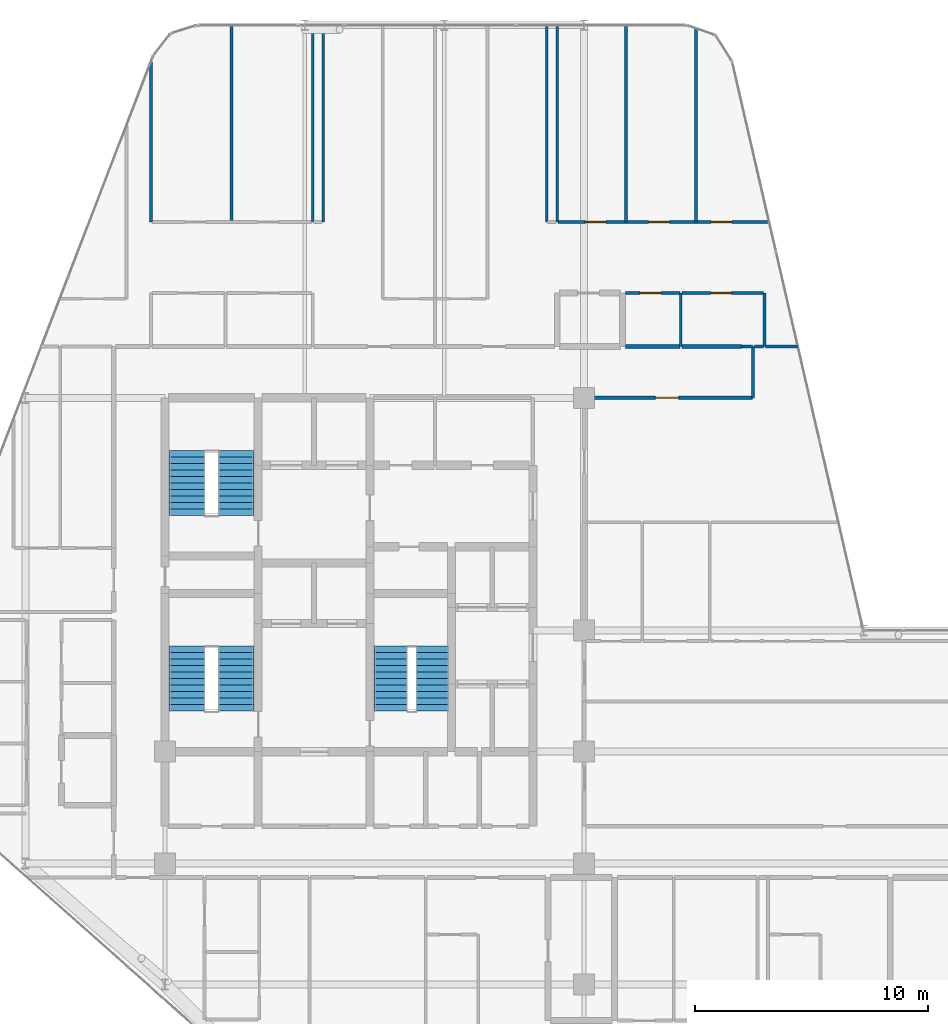
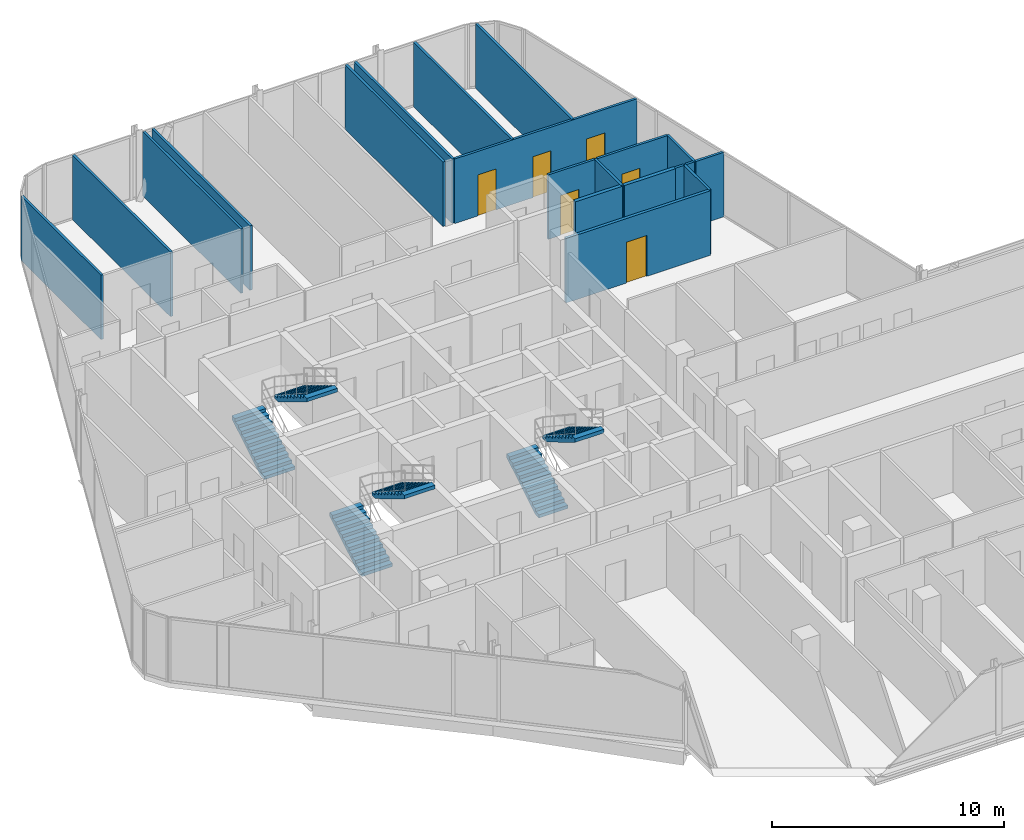
# One storey, part 28 of 29: 20 walls, 6 doors, 6 stair flights, 6 openings, 3 elements without a shape of their own.
"""IFC4 building model written with IfcOpenShell, lengths in metres."""

import ifcopenshell
import ifcopenshell.guid

model = None  # the IFC model being written
_history = None  # IfcOwnerHistory: only IFC2X3 demands one
_inside = {}  # id of a spatial element -> (the spatial element, [elements in it])
_under = {}  # id of a project, library or spatial element -> (it, [spatial elements below it])
_declared = {}  # id of a project -> (the project, [libraries it declares])
_typed = {}  # id of a type object -> (the type object, [elements of that type])
_made_of = {}  # id of a material, layer set ... -> (it, [elements and type objects made of it])


def new_model(schema):
    """Start an empty IFC model of exactly this schema.

    Asked for "IFC4X3", IfcOpenShell would pick the latest addendum, in which some entities
    have other attributes; the version numbers below select the first issue.
    IFC2X3 requires an IfcOwnerHistory on every rooted entity: one is made here for all.
    """
    global model, _history
    if schema == "IFC4X3":
        model = ifcopenshell.file(schema_version=(4, 3, 0, 0))
    else:
        model = ifcopenshell.file(schema=schema)
    _inside.clear()
    _under.clear()
    _declared.clear()
    _typed.clear()
    _made_of.clear()
    _history = None
    if model.schema == "IFC2X3":
        org = make("IfcOrganization", Name="unknown")
        user = make(
            "IfcPersonAndOrganization",
            ThePerson=make("IfcPerson", FamilyName="unknown"),
            TheOrganization=org,
        )
        app = make(
            "IfcApplication",
            ApplicationDeveloper=org,
            Version="unknown",
            ApplicationFullName="unknown",
            ApplicationIdentifier="unknown",
        )
        _history = make(
            "IfcOwnerHistory",
            OwningUser=user,
            OwningApplication=app,
            ChangeAction="ADDED",
            CreationDate=0,
        )
    return model


def make(cls, **values):
    """One entity of the class cls with the attributes given. An attribute that is None is left unset."""
    return model.create_entity(
        cls, **{name: value for name, value in values.items() if value is not None}
    )


def rooted(cls, **values):
    """An entity with a GlobalId (a new one), such as an element, a storey or a relation."""
    return make(cls, GlobalId=ifcopenshell.guid.new(), OwnerHistory=_history, **values)


def si_unit(unit_type, name, prefix=None):
    """IfcSIUnit, for example si_unit("LENGTHUNIT", "METRE", prefix="MILLI")."""
    return make("IfcSIUnit", UnitType=unit_type, Prefix=prefix, Name=name)


def assignment(units):
    """IfcUnitAssignment: the units of a project."""
    return None if units is None else make("IfcUnitAssignment", Units=units)


def point(xyz):
    """IfcCartesianPoint."""
    return None if xyz is None else make("IfcCartesianPoint", Coordinates=xyz)


def direction(xyz):
    """IfcDirection."""
    return None if xyz is None else make("IfcDirection", DirectionRatios=xyz)


def frame(location, z_axis=None, x_axis=None):
    """IfcAxis2Placement3D, a coordinate frame: its origin and axes. An axis left out is left unset."""
    return make(
        "IfcAxis2Placement3D",
        Location=point(location),
        Axis=direction(z_axis),
        RefDirection=direction(x_axis),
    )


def frame_2d(location, x_axis=None):
    """IfcAxis2Placement2D, a coordinate frame in the plane: its origin and x axis."""
    return make(
        "IfcAxis2Placement2D", Location=point(location), RefDirection=direction(x_axis)
    )


def origin():
    """The frame at (0, 0, 0) with its axes left unset."""
    return frame((0.0, 0.0, 0.0))


def place(relative_to, where):
    """IfcLocalPlacement: puts the frame where relative to a parent placement (None: the world)."""
    return make(
        "IfcLocalPlacement", PlacementRelTo=relative_to, RelativePlacement=where
    )


def context(
    kind, dimensions, precision=None, world=None, true_north=None, identifier=None
):
    """IfcGeometricRepresentationContext, for example the 3D "Model" context."""
    return make(
        "IfcGeometricRepresentationContext",
        ContextIdentifier=identifier,
        ContextType=kind,
        CoordinateSpaceDimension=dimensions,
        Precision=precision,
        WorldCoordinateSystem=world,
        TrueNorth=true_north,
    )


def subcontext(parent, identifier, kind, view, scale=None):
    """IfcGeometricRepresentationSubContext, for example "Body" below "Model"."""
    return make(
        "IfcGeometricRepresentationSubContext",
        ContextIdentifier=identifier,
        ContextType=kind,
        ParentContext=parent,
        TargetScale=scale,
        TargetView=view,
    )


def project(units=None, contexts=None):
    """IfcProject with its units and contexts."""
    return rooted(
        "IfcProject",
        Name="project",
        RepresentationContexts=contexts,
        UnitsInContext=assignment(units),
    )


def spatial(cls, under=None, at=None, **own):
    """A site, building, storey or space (cls), placed at a placement, below another one or the project."""
    s = rooted(cls, ObjectPlacement=at, **own)
    if under is not None:
        _under.setdefault(under.id(), (under, []))[1].append(s)
    return s


def polyline(points):
    """IfcPolyline through the points."""
    return make("IfcPolyline", Points=[point(p) for p in points])


def profile(cls, at=None, kind="AREA", **sizes):
    """A parametric profile (cls). Its sizes go by their IFC names, for example OverallWidth=200.0."""
    return make(cls, ProfileType=kind, Position=at, **sizes)


def rectangle(**sizes):
    """IfcRectangleProfileDef."""
    return profile("IfcRectangleProfileDef", **sizes)


def outline(outer, holes=None, kind="AREA"):
    """IfcArbitraryClosedProfileDef: a profile drawn as a closed curve; with holes, ...WithVoids."""
    if holes is None:
        return make("IfcArbitraryClosedProfileDef", ProfileType=kind, OuterCurve=outer)
    return make(
        "IfcArbitraryProfileDefWithVoids",
        ProfileType=kind,
        OuterCurve=outer,
        InnerCurves=holes,
    )


def extrude(swept, where, along, depth):
    """IfcExtrudedAreaSolid: the profile swept, set in the frame where, extruded along a direction by depth."""
    return make(
        "IfcExtrudedAreaSolid",
        SweptArea=swept,
        Position=where,
        ExtrudedDirection=direction(along),
        Depth=depth,
    )


def shape(context_of_items, identifier, shape_type, items):
    """IfcShapeRepresentation: the items that make up one representation, for example the "Body"."""
    return make(
        "IfcShapeRepresentation",
        ContextOfItems=context_of_items,
        RepresentationIdentifier=identifier,
        RepresentationType=shape_type,
        Items=items,
    )


def material(Name=None, Category=None):
    """IfcMaterial."""
    return make("IfcMaterial", Name=Name, Category=Category)


def layer(
    of_material, thickness, ventilated=None, Name=None, Category=None, Priority=None
):
    """IfcMaterialLayer: one layer of a wall or slab, of a material (None: an air gap)."""
    return make(
        "IfcMaterialLayer",
        Material=of_material,
        LayerThickness=thickness,
        IsVentilated=ventilated,
        Name=Name,
        Category=Category,
        Priority=Priority,
    )


def layer_set(layers, Name=None):
    """IfcMaterialLayerSet."""
    return make("IfcMaterialLayerSet", MaterialLayers=layers, LayerSetName=Name)


def made_of(thing, what):
    """Note that an element or type object is made of a material, layer set ...; save() writes the relation."""
    if what is not None:
        _made_of.setdefault(what.id(), (what, []))[1].append(thing)
    return thing


def type_object(cls, material=None, **own):
    """A type object (cls), such as IfcWallType, which elements share."""
    return made_of(rooted(cls, **own), material)


def element(
    cls,
    number,
    at=None,
    inside=None,
    cuts=None,
    type_object=None,
    material=None,
    context=None,
    identifier="Body",
    shape_type=None,
    held_by="IfcProductDefinitionShape",
    body=None,
    shapes=None,
    **own,
):
    """One element of the class cls, such as IfcWall. Its Tag is "e" and its number.

    at: its placement. inside: the storey or other place that contains it. cuts: it is an
    opening in that element (IfcRelVoidsElement). A single representation is given by context,
    identifier, shape_type and body (its items); several are given by shapes. held_by: the class
    of the entity that holds the representations. save() writes the other relations.
    """
    e = rooted(cls, Tag="e%d" % number, ObjectPlacement=at, **own)
    if body is not None:
        shapes = [shape(context, identifier, shape_type, body)]
    if shapes is not None:
        e.Representation = make(held_by, Representations=shapes)
    if inside is not None:
        _inside.setdefault(inside.id(), (inside, []))[1].append(e)
    if cuts is not None:
        rooted(
            "IfcRelVoidsElement", RelatingBuildingElement=cuts, RelatedOpeningElement=e
        )
    if type_object is not None:
        _typed.setdefault(type_object.id(), (type_object, []))[1].append(e)
    return made_of(e, material)


def fill(opening, filler):
    """IfcRelFillsElement: the door or window that sits in an opening."""
    return rooted(
        "IfcRelFillsElement",
        RelatingOpeningElement=opening,
        RelatedBuildingElement=filler,
    )


def aggregate(whole, parts):
    """IfcRelAggregates: a whole, such as a stair, and the parts it consists of."""
    return rooted("IfcRelAggregates", RelatingObject=whole, RelatedObjects=parts)


def save(model, path):
    """Write the relations noted so far, then the file.

    IfcRelAggregates (storeys below a building ...), IfcRelContainedInSpatialStructure (elements
    in a storey), IfcRelDefinesByType, IfcRelAssociatesMaterial and IfcRelDeclares: one each for
    every whole, place, type object, material and project.
    """
    for whole, parts in _under.values():
        aggregate(whole, parts)
    for where, things in _inside.values():
        rooted(
            "IfcRelContainedInSpatialStructure",
            RelatedElements=things,
            RelatingStructure=where,
        )
    for kind, things in _typed.values():
        rooted("IfcRelDefinesByType", RelatedObjects=things, RelatingType=kind)
    for what, things in _made_of.values():
        rooted("IfcRelAssociatesMaterial", RelatedObjects=things, RelatingMaterial=what)
    for by, libraries in _declared.values():
        rooted("IfcRelDeclares", RelatingContext=by, RelatedDefinitions=libraries)
    model.write(path)


model = new_model("IFC4")

# Units and contexts
model_context = context("Model", 3, precision=1e-05, world=origin(), true_north=direction((0.0, 1.0)))
body_context = subcontext(model_context, "Body", "Model", "MODEL_VIEW")
ifc_project = project(units=[si_unit("LENGTHUNIT", "METRE"), si_unit("AREAUNIT", "SQUARE_METRE"), si_unit("VOLUMEUNIT", "CUBIC_METRE"), si_unit("PLANEANGLEUNIT", "RADIAN"), si_unit("MASSUNIT", "GRAM", prefix="KILO")], contexts=[model_context])

# Site, building, storey
site_placement = place(None, origin())
site = spatial("IfcSite", under=ifc_project, at=site_placement, CompositionType="ELEMENT")
building_placement = place(site_placement, origin())
building = spatial("IfcBuilding", under=site, at=building_placement, Name="Keshet Zoharim Tower", CompositionType="ELEMENT")
storey_placement = place(building_placement, frame((0.0, 0.0, 192.10009765625)))
storey = spatial("IfcBuildingStorey", under=building, at=storey_placement, Name="L47", CompositionType="ELEMENT", Elevation=192.10009765625)

# Wall, opening, door
ifc_material_1 = material(Name="Gypsum Plasterboard", Category="gypsum")
ifc_layer_1 = layer(ifc_material_1, 0.14990234375)
ifc_layer_set_1 = layer_set([ifc_layer_1], Name="Gypsum Plasterboard")
wall_type_1 = type_object("IfcWallType", Name="WL-CLIN-150", PredefinedType="STANDARD", material=ifc_layer_set_1)
wall_1_placement = place(storey_placement, frame((33.06005859375, 37.89990234375, 0.0), z_axis=(0.0, 0.0, 1.0), x_axis=(1.0, 0.0, 0.0)))
wall_1 = element("IfcWall", 1, at=wall_1_placement, inside=storey, type_object=wall_type_1, Name="L47 Interior Wall 180", PredefinedType="STANDARD", context=body_context, shape_type="SweptSolid", body=[
    extrude(rectangle(XDim=7.1640625, YDim=0.14990234375, at=frame_2d((3.58203125, 0.0))), origin(), (0.0, 0.0, 1.0), 3.389892578125),
])
opening_1_placement = place(wall_1_placement, frame((3.00390625, 0.0, 0.0)))
opening_1 = element("IfcOpeningElement", 2, at=opening_1_placement, cuts=wall_1, Name="Opening D-F310", PredefinedType="OPENING", context=body_context, shape_type="SweptSolid", body=[
    extrude(rectangle(XDim=1.0, YDim=2.14990234375, at=frame_2d((0.5, 1.074951171875))), frame((0.0, 0.0849609375, 0.0), z_axis=(0.0, -1.0, 0.0), x_axis=(1.0, 0.0, 0.0)), (0.0, 0.0, 1.0), 0.169921875),
])
ifc_material_2 = material(Name="Hardwood Timber", Category="wood")
door_type_1 = type_object("IfcDoorType", Name="DR-FD30-100", OperationType="NOTDEFINED", PredefinedType="DOOR", material=ifc_material_2)
door_1_placement = place(opening_1_placement, origin())
door_1 = element("IfcDoor", 3, at=door_1_placement, inside=storey, type_object=door_type_1, Name="L47 North West Residents Services Suite Door 1", OperationType="SINGLE_SWING_RIGHT", OverallHeight=2.14990234375, OverallWidth=1.0, PredefinedType="DOOR", context=body_context, shape_type="SweptSolid", body=[
    extrude(rectangle(XDim=1.0, YDim=2.14990234375, at=frame_2d((0.5, 1.074951171875))), frame((0.0, 0.02490234375, 0.0), z_axis=(0.0, -1.0, 0.0), x_axis=(1.0, 0.0, 0.0)), (0.0, 0.0, 1.0), 0.050048828125),
])
fill(opening_1, door_1)

# Walls
ifc_layer_2 = layer(ifc_material_1, 0.179931640625)
ifc_layer_set_2 = layer_set([ifc_layer_2], Name="Gypsum Plasterboard")
wall_type_2 = type_object("IfcWallType", Name="WL-CORR-180", PredefinedType="STANDARD", material=ifc_layer_set_2)
wall_2_placement = place(storey_placement, frame((34.783935546875, 40.10009765625, 0.0), z_axis=(0.0, 0.0, 1.0), x_axis=(1.0, 0.0, 0.0)))
element("IfcWall", 4, at=wall_2_placement, inside=storey, type_object=wall_type_2, Name="L47 Interior Wall 188", PredefinedType="STANDARD", context=body_context, shape_type="SweptSolid", body=[
    extrude(rectangle(XDim=2.340087890625, YDim=0.179931640625, at=frame_2d((1.169921875, 0.0))), origin(), (0.0, 0.0, 1.0), 3.389892578125),
])
wall_3_placement = place(storey_placement, frame((37.214111328125, 40.10009765625, 0.0), z_axis=(0.0, 0.0, 1.0), x_axis=(1.0, 0.0, 0.0)))
element("IfcWall", 5, at=wall_3_placement, inside=storey, type_object=wall_type_2, Name="L47 Interior Wall 189", PredefinedType="STANDARD", context=body_context, shape_type="SweptSolid", body=[
    extrude(rectangle(XDim=2.548828125, YDim=0.179931640625, at=frame_2d((1.2744140625, 0.0))), origin(), (0.0, 0.0, 1.0), 3.389892578125),
])
ifc_layer_3 = layer(ifc_material_1, 0.1201171875)
ifc_layer_set_3 = layer_set([ifc_layer_3], Name="Gypsum Plasterboard")
wall_type_3 = type_object("IfcWallType", Name="WL-PART-120", PredefinedType="PARTITIONING", material=ifc_layer_set_3)
wall_4_placement = place(storey_placement, frame((14.39990234375, 45.449951171875, 0.0), z_axis=(0.0, 0.0, 1.0), x_axis=(0.0, 1.0, 0.0)))
element("IfcWall", 6, at=wall_4_placement, inside=storey, type_object=wall_type_3, Name="L47 Interior Wall 015", PredefinedType="PARTITIONING", context=body_context, shape_type="SweptSolid", body=[
    extrude(rectangle(XDim=6.880126953125, YDim=0.1201171875, at=frame_2d((3.43994140625, 0.0))), origin(), (0.0, 0.0, 1.0), 3.389892578125),
])
for number, where, z_axis, x_axis, name in (
    (7, (17.85009765625, 45.449951171875, 0.0), (0.0, 0.0, 1.0), (0.0, 1.0, 0.0), "L47 Interior Wall 023"),
    (8, (21.35009765625, 45.449951171875, 0.0), (0.0, 0.0, 1.0), (0.0, 1.0, 0.0), "L47 Interior Wall 033"),
    (9, (21.800048828125, 45.449951171875, 0.0), (0.0, 0.0, 1.0), (0.0, 1.0, 0.0), "L47 Interior Wall 036"),
    (10, (31.39990234375, 45.449951171875, 0.0), (0.0, 0.0, 1.0), (0.0, 1.0, 0.0), "L47 Interior Wall 067"),
    (11, (31.85009765625, 45.449951171875, 0.0), (0.0, 0.0, 1.0), (0.0, 1.0, 0.0), "L47 Interior Wall 071"),
    (12, (34.800048828125, 45.449951171875, 0.0), (0.0, 0.0, 1.0), (0.0, 1.0, 0.0), "L47 Interior Wall 079"),
):
    element("IfcWall", number, at=place(storey_placement, frame(where, z_axis=z_axis, x_axis=x_axis)), inside=storey, type_object=wall_type_3, Name=name, PredefinedType="PARTITIONING", context=body_context, shape_type="SweptSolid", body=[
        extrude(rectangle(XDim=8.43994140625, YDim=0.1201171875, at=frame_2d((4.219970703125, 0.0))), origin(), (0.0, 0.0, 1.0), 3.389892578125),
    ])
wall_5_placement = place(storey_placement, frame((37.800048828125, 45.449951171875, 0.0), z_axis=(0.0, 0.0, 1.0), x_axis=(0.0, 1.0, 0.0)))
element("IfcWall", 13, at=wall_5_placement, inside=storey, type_object=wall_type_3, Name="L47 Interior Wall 084", PredefinedType="PARTITIONING", context=body_context, shape_type="SweptSolid", body=[
    extrude(rectangle(XDim=8.302978515625, YDim=0.1201171875, at=frame_2d((4.1513671875, 0.0))), origin(), (0.0, 0.0, 1.0), 3.389892578125),
])
wall_6_placement = place(storey_placement, frame((40.25, 37.89990234375, 0.0), z_axis=(0.0, 0.0, 1.0), x_axis=(0.0, 1.0, 0.0)))
element("IfcWall", 14, at=wall_6_placement, inside=storey, type_object=wall_type_3, Name="L47 Interior Wall 086", PredefinedType="PARTITIONING", context=body_context, shape_type="SweptSolid", body=[
    extrude(rectangle(XDim=2.2001953125, YDim=0.1201171875, at=frame_2d((1.10009765625, 0.0))), origin(), (0.0, 0.0, 1.0), 3.389892578125),
])
wall_7_placement = place(storey_placement, frame((40.75, 40.10009765625, 0.0), z_axis=(0.0, 0.0, 1.0), x_axis=(0.0, 1.0, 0.0)))
element("IfcWall", 15, at=wall_7_placement, inside=storey, type_object=wall_type_3, Name="L47 Interior Wall 089", PredefinedType="PARTITIONING", context=body_context, shape_type="SweptSolid", body=[
    extrude(rectangle(XDim=2.2998046875, YDim=0.1201171875, at=frame_2d((1.14990234375, 0.0))), origin(), (0.0, 0.0, 1.0), 3.389892578125),
])
wall_8_placement = place(storey_placement, frame((39.762939453125, 40.10009765625, 0.0), z_axis=(0.0, 0.0, 1.0), x_axis=(1.0, 0.0, 0.0)))
element("IfcWall", 16, at=wall_8_placement, inside=storey, type_object=wall_type_3, Name="L47 Interior Wall 190", PredefinedType="PARTITIONING", context=body_context, shape_type="SweptSolid", body=[
    extrude(rectangle(XDim=0.462158203125, YDim=0.1201171875, at=frame_2d((0.23095703125, 0.0))), origin(), (0.0, 0.0, 1.0), 3.389892578125),
])
wall_9_placement = place(storey_placement, frame((40.31494140625, 40.10009765625, 0.0), z_axis=(0.0, 0.0, 1.0), x_axis=(1.0, 0.0, 0.0)))
element("IfcWall", 17, at=wall_9_placement, inside=storey, type_object=wall_type_3, Name="L47 Interior Wall 191", PredefinedType="PARTITIONING", context=body_context, shape_type="SweptSolid", body=[
    extrude(rectangle(XDim=0.39208984375, YDim=0.1201171875, at=frame_2d((0.196044921875, 0.0))), origin(), (0.0, 0.0, 1.0), 3.389892578125),
])
wall_10_placement = place(storey_placement, frame((40.797119140625, 40.10009765625, 0.0), z_axis=(0.0, 0.0, 1.0), x_axis=(1.0, 0.0, 0.0)))
element("IfcWall", 18, at=wall_10_placement, inside=storey, type_object=wall_type_3, Name="L47 Interior Wall 192", PredefinedType="PARTITIONING", context=body_context, shape_type="SweptSolid", body=[
    extrude(rectangle(XDim=1.3779296875, YDim=0.1201171875, at=frame_2d((0.68896484375, 0.0))), origin(), (0.0, 0.0, 1.0), 3.389892578125),
])

# Wall, opening, door
wall_11_placement = place(storey_placement, frame((37.214111328125, 42.39990234375, 0.0), z_axis=(0.0, 0.0, 1.0), x_axis=(1.0, 0.0, 0.0)))
wall_11 = element("IfcWall", 19, at=wall_11_placement, inside=storey, type_object=wall_type_3, Name="L47 Interior Wall 199", PredefinedType="PARTITIONING", context=body_context, shape_type="SweptSolid", body=[
    extrude(rectangle(XDim=3.492919921875, YDim=0.1201171875, at=frame_2d((1.74658203125, 0.0))), origin(), (0.0, 0.0, 1.0), 3.389892578125),
])
opening_2_placement = place(wall_11_placement, frame((1.22412109375, 0.0, 0.0)))
opening_2 = element("IfcOpeningElement", 20, at=opening_2_placement, cuts=wall_11, Name="Opening D-IN90", PredefinedType="OPENING", context=body_context, shape_type="SweptSolid", body=[
    extrude(rectangle(XDim=0.89990234375, YDim=2.14990234375, at=frame_2d((0.449951171875, 1.074951171875))), frame((0.0, 0.070068359375, 0.0), z_axis=(0.0, -1.0, 0.0), x_axis=(1.0, 0.0, 0.0)), (0.0, 0.0, 1.0), 0.14013671875),
])
door_type_2 = type_object("IfcDoorType", Name="DR-INT-090", OperationType="NOTDEFINED", PredefinedType="DOOR", material=ifc_material_2)
door_2_placement = place(opening_2_placement, origin())
door_2 = element("IfcDoor", 21, at=door_2_placement, inside=storey, type_object=door_type_2, Name="Apartment 4705 Kitchen Door", OperationType="SINGLE_SWING_RIGHT", OverallHeight=2.14990234375, OverallWidth=0.89990234375, PredefinedType="DOOR", context=body_context, shape_type="SweptSolid", body=[
    extrude(rectangle(XDim=0.89990234375, YDim=2.14990234375, at=frame_2d((0.449951171875, 1.074951171875))), frame((0.0, 0.02490234375, 0.0), z_axis=(0.0, -1.0, 0.0), x_axis=(1.0, 0.0, 0.0)), (0.0, 0.0, 1.0), 0.050048828125),
])
fill(opening_2, door_2)

# Wall, openings, doors
wall_12_placement = place(storey_placement, frame((31.885009765625, 45.449951171875, 0.0), z_axis=(0.0, 0.0, 1.0), x_axis=(1.0, 0.0, 0.0)))
wall_12 = element("IfcWall", 22, at=wall_12_placement, inside=storey, type_object=wall_type_3, Name="L47 Interior Wall 203", PredefinedType="PARTITIONING", context=body_context, shape_type="SweptSolid", body=[
    extrude(rectangle(XDim=9.054931640625, YDim=0.1201171875, at=frame_2d((4.52734375, 0.0))), origin(), (0.0, 0.0, 1.0), 3.389892578125),
])
opening_3_placement = place(wall_12_placement, frame((1.166015625, 0.0, 0.0)))
opening_3 = element("IfcOpeningElement", 23, at=opening_3_placement, cuts=wall_12, Name="Opening D-IN90", PredefinedType="OPENING", context=body_context, shape_type="SweptSolid", body=[
    extrude(rectangle(XDim=0.89990234375, YDim=2.14990234375, at=frame_2d((0.449951171875, 1.074951171875))), frame((0.0, 0.070068359375, 0.0), z_axis=(0.0, -1.0, 0.0), x_axis=(1.0, 0.0, 0.0)), (0.0, 0.0, 1.0), 0.14013671875),
])
opening_4_placement = place(wall_12_placement, frame((3.888916015625, 0.0, 0.0)))
opening_4 = element("IfcOpeningElement", 24, at=opening_4_placement, cuts=wall_12, Name="Opening D-IN90", PredefinedType="OPENING", context=body_context, shape_type="SweptSolid", body=[
    extrude(rectangle(XDim=0.89990234375, YDim=2.14990234375, at=frame_2d((0.449951171875, 1.074951171875))), frame((0.0, 0.070068359375, 0.0), z_axis=(0.0, -1.0, 0.0), x_axis=(1.0, 0.0, 0.0)), (0.0, 0.0, 1.0), 0.14013671875),
])
opening_5_placement = place(wall_12_placement, frame((6.55908203125, 0.0, 0.0)))
opening_5 = element("IfcOpeningElement", 25, at=opening_5_placement, cuts=wall_12, Name="Opening D-IN90", PredefinedType="OPENING", context=body_context, shape_type="SweptSolid", body=[
    extrude(rectangle(XDim=0.89990234375, YDim=2.14990234375, at=frame_2d((0.449951171875, 1.074951171875))), frame((0.0, 0.070068359375, 0.0), z_axis=(0.0, -1.0, 0.0), x_axis=(1.0, 0.0, 0.0)), (0.0, 0.0, 1.0), 0.14013671875),
])
door_3_placement = place(opening_3_placement, origin())
door_3 = element("IfcDoor", 26, at=door_3_placement, inside=storey, type_object=door_type_2, Name="Apartment 4705 Bedroom 1 Door", OperationType="SINGLE_SWING_LEFT", OverallHeight=2.14990234375, OverallWidth=0.89990234375, PredefinedType="DOOR", context=body_context, shape_type="SweptSolid", body=[
    extrude(rectangle(XDim=0.89990234375, YDim=2.14990234375, at=frame_2d((0.449951171875, 1.074951171875))), frame((0.0, 0.02490234375, 0.0), z_axis=(0.0, -1.0, 0.0), x_axis=(1.0, 0.0, 0.0)), (0.0, 0.0, 1.0), 0.050048828125),
])
fill(opening_3, door_3)
door_4_placement = place(opening_4_placement, origin())
door_4 = element("IfcDoor", 27, at=door_4_placement, inside=storey, type_object=door_type_2, Name="Apartment 4705 Bedroom 2 Door", OperationType="SINGLE_SWING_RIGHT", OverallHeight=2.14990234375, OverallWidth=0.89990234375, PredefinedType="DOOR", context=body_context, shape_type="SweptSolid", body=[
    extrude(rectangle(XDim=0.89990234375, YDim=2.14990234375, at=frame_2d((0.449951171875, 1.074951171875))), frame((0.0, 0.02490234375, 0.0), z_axis=(0.0, -1.0, 0.0), x_axis=(1.0, 0.0, 0.0)), (0.0, 0.0, 1.0), 0.050048828125),
])
fill(opening_4, door_4)
door_5_placement = place(opening_5_placement, origin())
door_5 = element("IfcDoor", 28, at=door_5_placement, inside=storey, type_object=door_type_2, Name="Apartment 4705 Bedroom 3 Door", OperationType="SINGLE_SWING_LEFT", OverallHeight=2.14990234375, OverallWidth=0.89990234375, PredefinedType="DOOR", context=body_context, shape_type="SweptSolid", body=[
    extrude(rectangle(XDim=0.89990234375, YDim=2.14990234375, at=frame_2d((0.449951171875, 1.074951171875))), frame((0.0, 0.02490234375, 0.0), z_axis=(0.0, -1.0, 0.0), x_axis=(1.0, 0.0, 0.0)), (0.0, 0.0, 1.0), 0.050048828125),
])
fill(opening_5, door_5)

# Wall
ifc_layer_4 = layer(ifc_material_1, 0.1201171875)
ifc_layer_set_4 = layer_set([ifc_layer_4], Name="Gypsum Plasterboard")
wall_type_4 = type_object("IfcWallType", Name="WL-WET-120", PredefinedType="PARTITIONING", material=ifc_layer_set_4)
wall_13_placement = place(storey_placement, frame((37.14990234375, 40.10009765625, 0.0), z_axis=(0.0, 0.0, 1.0), x_axis=(0.0, 1.0, 0.0)))
element("IfcWall", 29, at=wall_13_placement, inside=storey, type_object=wall_type_4, Name="L47 Interior Wall 082", PredefinedType="PARTITIONING", context=body_context, shape_type="SweptSolid", body=[
    extrude(rectangle(XDim=2.2998046875, YDim=0.1201171875, at=frame_2d((1.14990234375, 0.0))), origin(), (0.0, 0.0, 1.0), 3.389892578125),
])

# Wall, opening, door
wall_14_placement = place(storey_placement, frame((34.783935546875, 42.39990234375, 0.0), z_axis=(0.0, 0.0, 1.0), x_axis=(1.0, 0.0, 0.0)))
wall_14 = element("IfcWall", 30, at=wall_14_placement, inside=storey, type_object=wall_type_4, Name="L47 Interior Wall 198", PredefinedType="PARTITIONING", context=body_context, shape_type="SweptSolid", body=[
    extrude(rectangle(XDim=2.340087890625, YDim=0.1201171875, at=frame_2d((1.169921875, 0.0))), origin(), (0.0, 0.0, 1.0), 3.389892578125),
])
opening_6_placement = place(wall_14_placement, frame((0.611083984375, 0.0, 0.0)))
opening_6 = element("IfcOpeningElement", 31, at=opening_6_placement, cuts=wall_14, Name="Opening D-WT90", PredefinedType="OPENING", context=body_context, shape_type="SweptSolid", body=[
    extrude(rectangle(XDim=0.89990234375, YDim=2.10009765625, at=frame_2d((0.449951171875, 1.050048828125))), frame((0.0, 0.070068359375, 0.0), z_axis=(0.0, -1.0, 0.0), x_axis=(1.0, 0.0, 0.0)), (0.0, 0.0, 1.0), 0.14013671875),
])
door_type_3 = type_object("IfcDoorType", Name="DR-WET-090", OperationType="NOTDEFINED", PredefinedType="DOOR", material=ifc_material_2)
door_6_placement = place(opening_6_placement, origin())
door_6 = element("IfcDoor", 32, at=door_6_placement, inside=storey, type_object=door_type_3, Name="Apartment 4705 Bathroom Door", OperationType="SINGLE_SWING_LEFT", OverallHeight=2.10009765625, OverallWidth=0.89990234375, PredefinedType="DOOR", context=body_context, shape_type="SweptSolid", body=[
    extrude(rectangle(XDim=0.89990234375, YDim=2.10009765625, at=frame_2d((0.449951171875, 1.050048828125))), frame((0.0, 0.02490234375, 0.0), z_axis=(0.0, -1.0, 0.0), x_axis=(1.0, 0.0, 0.0)), (0.0, 0.0, 1.0), 0.050048828125),
])
fill(opening_6, door_6)

# Stair, stair flights
ifc_material_3 = material(Name="Concrete C50/60", Category="concrete")
stair_type = type_object("IfcStairType", Name="STR-EXIT-135", PredefinedType="HALF_TURN_STAIR", material=ifc_material_3)
stair_1_placement = place(storey_placement, origin())
stair_1 = element("IfcStair", 33, at=stair_1_placement, inside=storey, type_object=stair_type, Name="L47 Enclosed Exit Stair ST-01", PredefinedType="HALF_TURN_STAIR")
stair_flight_type_1 = type_object("IfcStairFlightType", Name="FLT-PRE-135", PredefinedType="STRAIGHT", material=ifc_material_3)
stair_flight_1_placement = place(storey_placement, frame((15.945068359375, 24.43994140625, 0.0), z_axis=(0.0, 0.0, 1.0), x_axis=(0.0, 1.0, 0.0)))
stair_flight_1 = element("IfcStairFlight", 34, at=stair_flight_1_placement, type_object=stair_flight_type_1, Name="ST-01 flight 1", NumberOfRisers=11, NumberOfTreads=10, PredefinedType="STRAIGHT", RiserHeight=0.168182, TreadLength=0.28, context=body_context, shape_type="SweptSolid", body=[
    extrude(outline(polyline([(0.0, 0.0), (0.0, 0.168212890625), (0.280029296875, 0.168212890625), (0.280029296875, 0.33642578125), (0.56005859375, 0.33642578125), (0.56005859375, 0.504638671875), (0.840087890625, 0.504638671875), (0.840087890625, 0.672607421875), (1.1201171875, 0.672607421875), (1.1201171875, 0.8408203125), (1.39990234375, 0.8408203125), (1.39990234375, 1.009033203125), (1.679931640625, 1.009033203125), (1.679931640625, 1.17724609375), (1.9599609375, 1.17724609375), (1.9599609375, 1.345458984375), (2.239990234375, 1.345458984375), (2.239990234375, 1.513671875), (2.52001953125, 1.513671875), (2.52001953125, 1.681884765625), (2.800048828125, 1.681884765625), (2.800048828125, 1.85009765625), (2.800048828125, 1.495361328125), (0.310546875, 0.0), (0.0, 0.0)])), frame((0.0, 0.76513671875, 0.0), z_axis=(0.0, -1.0, 0.0), x_axis=(1.0, 0.0, 0.0)), (0.0, 0.0, 1.0), 1.530029296875),
])
stair_flight_2_placement = place(storey_placement, frame((18.054931640625, 27.239990234375, 1.849853515625), z_axis=(0.0, 0.0, 1.0), x_axis=(0.0, -1.0, 0.0)))
stair_flight_2 = element("IfcStairFlight", 35, at=stair_flight_2_placement, type_object=stair_flight_type_1, Name="ST-01 flight 2", NumberOfRisers=11, NumberOfTreads=10, PredefinedType="STRAIGHT", RiserHeight=0.168182, TreadLength=0.28, context=body_context, shape_type="SweptSolid", body=[
    extrude(outline(polyline([(0.0, 0.0), (0.0, 0.168212890625), (0.280029296875, 0.168212890625), (0.280029296875, 0.33642578125), (0.56005859375, 0.33642578125), (0.56005859375, 0.504638671875), (0.840087890625, 0.504638671875), (0.840087890625, 0.672607421875), (1.1201171875, 0.672607421875), (1.1201171875, 0.8408203125), (1.39990234375, 0.8408203125), (1.39990234375, 1.009033203125), (1.679931640625, 1.009033203125), (1.679931640625, 1.17724609375), (1.9599609375, 1.17724609375), (1.9599609375, 1.345458984375), (2.239990234375, 1.345458984375), (2.239990234375, 1.513671875), (2.52001953125, 1.513671875), (2.52001953125, 1.681884765625), (2.800048828125, 1.681884765625), (2.800048828125, 1.85009765625), (2.800048828125, 1.495361328125), (0.310546875, 0.0), (0.0, 0.0)])), frame((0.0, 0.76513671875, 0.0), z_axis=(0.0, -1.0, 0.0), x_axis=(1.0, 0.0, 0.0)), (0.0, 0.0, 1.0), 1.530029296875),
])
aggregate(stair_1, [stair_flight_1, stair_flight_2])

stair_2_placement = place(storey_placement, origin())
stair_2 = element("IfcStair", 36, at=stair_2_placement, inside=storey, type_object=stair_type, Name="L47 Enclosed Exit Stair ST-02", PredefinedType="HALF_TURN_STAIR")
stair_flight_3_placement = place(storey_placement, frame((15.945068359375, 32.840087890625, 0.0), z_axis=(0.0, 0.0, 1.0), x_axis=(0.0, 1.0, 0.0)))
stair_flight_3 = element("IfcStairFlight", 37, at=stair_flight_3_placement, type_object=stair_flight_type_1, Name="ST-02 flight 1", NumberOfRisers=11, NumberOfTreads=10, PredefinedType="STRAIGHT", RiserHeight=0.168182, TreadLength=0.28, context=body_context, shape_type="SweptSolid", body=[
    extrude(outline(polyline([(0.0, 0.0), (0.0, 0.168212890625), (0.280029296875, 0.168212890625), (0.280029296875, 0.33642578125), (0.56005859375, 0.33642578125), (0.56005859375, 0.504638671875), (0.840087890625, 0.504638671875), (0.840087890625, 0.672607421875), (1.1201171875, 0.672607421875), (1.1201171875, 0.8408203125), (1.39990234375, 0.8408203125), (1.39990234375, 1.009033203125), (1.679931640625, 1.009033203125), (1.679931640625, 1.17724609375), (1.9599609375, 1.17724609375), (1.9599609375, 1.345458984375), (2.239990234375, 1.345458984375), (2.239990234375, 1.513671875), (2.52001953125, 1.513671875), (2.52001953125, 1.681884765625), (2.800048828125, 1.681884765625), (2.800048828125, 1.85009765625), (2.800048828125, 1.495361328125), (0.310546875, 0.0), (0.0, 0.0)])), frame((0.0, 0.76513671875, 0.0), z_axis=(0.0, -1.0, 0.0), x_axis=(1.0, 0.0, 0.0)), (0.0, 0.0, 1.0), 1.530029296875),
])
stair_flight_4_placement = place(storey_placement, frame((18.054931640625, 35.639892578125, 1.849853515625), z_axis=(0.0, 0.0, 1.0), x_axis=(0.0, -1.0, 0.0)))
stair_flight_4 = element("IfcStairFlight", 38, at=stair_flight_4_placement, type_object=stair_flight_type_1, Name="ST-02 flight 2", NumberOfRisers=11, NumberOfTreads=10, PredefinedType="STRAIGHT", RiserHeight=0.168182, TreadLength=0.28, context=body_context, shape_type="SweptSolid", body=[
    extrude(outline(polyline([(0.0, 0.0), (0.0, 0.168212890625), (0.280029296875, 0.168212890625), (0.280029296875, 0.33642578125), (0.56005859375, 0.33642578125), (0.56005859375, 0.504638671875), (0.840087890625, 0.504638671875), (0.840087890625, 0.672607421875), (1.1201171875, 0.672607421875), (1.1201171875, 0.8408203125), (1.39990234375, 0.8408203125), (1.39990234375, 1.009033203125), (1.679931640625, 1.009033203125), (1.679931640625, 1.17724609375), (1.9599609375, 1.17724609375), (1.9599609375, 1.345458984375), (2.239990234375, 1.345458984375), (2.239990234375, 1.513671875), (2.52001953125, 1.513671875), (2.52001953125, 1.681884765625), (2.800048828125, 1.681884765625), (2.800048828125, 1.85009765625), (2.800048828125, 1.495361328125), (0.310546875, 0.0), (0.0, 0.0)])), frame((0.0, 0.76513671875, 0.0), z_axis=(0.0, -1.0, 0.0), x_axis=(1.0, 0.0, 0.0)), (0.0, 0.0, 1.0), 1.530029296875),
])
aggregate(stair_2, [stair_flight_3, stair_flight_4])

stair_3_placement = place(storey_placement, origin())
stair_3 = element("IfcStair", 39, at=stair_3_placement, inside=storey, type_object=stair_type, Name="L47 Enclosed Exit Stair ST-03", PredefinedType="HALF_TURN_STAIR")
stair_flight_type_2 = type_object("IfcStairFlightType", Name="FLT-PRE-144", PredefinedType="STRAIGHT", material=ifc_material_3)
stair_flight_5_placement = place(storey_placement, frame((24.699951171875, 24.43994140625, 0.0), z_axis=(0.0, 0.0, 1.0), x_axis=(0.0, 1.0, 0.0)))
stair_flight_5 = element("IfcStairFlight", 40, at=stair_flight_5_placement, type_object=stair_flight_type_2, Name="ST-03 flight 1", NumberOfRisers=11, NumberOfTreads=10, PredefinedType="STRAIGHT", RiserHeight=0.168182, TreadLength=0.28, context=body_context, shape_type="SweptSolid", body=[
    extrude(outline(polyline([(0.0, 0.0), (0.0, 0.168212890625), (0.280029296875, 0.168212890625), (0.280029296875, 0.33642578125), (0.56005859375, 0.33642578125), (0.56005859375, 0.504638671875), (0.840087890625, 0.504638671875), (0.840087890625, 0.672607421875), (1.1201171875, 0.672607421875), (1.1201171875, 0.8408203125), (1.39990234375, 0.8408203125), (1.39990234375, 1.009033203125), (1.679931640625, 1.009033203125), (1.679931640625, 1.17724609375), (1.9599609375, 1.17724609375), (1.9599609375, 1.345458984375), (2.239990234375, 1.345458984375), (2.239990234375, 1.513671875), (2.52001953125, 1.513671875), (2.52001953125, 1.681884765625), (2.800048828125, 1.681884765625), (2.800048828125, 1.85009765625), (2.800048828125, 1.495361328125), (0.310546875, 0.0), (0.0, 0.0)])), frame((0.0, 0.719970703125, 0.0), z_axis=(0.0, -1.0, 0.0), x_axis=(1.0, 0.0, 0.0)), (0.0, 0.0, 1.0), 1.43994140625),
])
stair_flight_6_placement = place(storey_placement, frame((26.5, 27.239990234375, 1.849853515625), z_axis=(0.0, 0.0, 1.0), x_axis=(0.0, -1.0, 0.0)))
stair_flight_6 = element("IfcStairFlight", 41, at=stair_flight_6_placement, type_object=stair_flight_type_2, Name="ST-03 flight 2", NumberOfRisers=11, NumberOfTreads=10, PredefinedType="STRAIGHT", RiserHeight=0.168182, TreadLength=0.28, context=body_context, shape_type="SweptSolid", body=[
    extrude(outline(polyline([(0.0, 0.0), (0.0, 0.168212890625), (0.280029296875, 0.168212890625), (0.280029296875, 0.33642578125), (0.56005859375, 0.33642578125), (0.56005859375, 0.504638671875), (0.840087890625, 0.504638671875), (0.840087890625, 0.672607421875), (1.1201171875, 0.672607421875), (1.1201171875, 0.8408203125), (1.39990234375, 0.8408203125), (1.39990234375, 1.009033203125), (1.679931640625, 1.009033203125), (1.679931640625, 1.17724609375), (1.9599609375, 1.17724609375), (1.9599609375, 1.345458984375), (2.239990234375, 1.345458984375), (2.239990234375, 1.513671875), (2.52001953125, 1.513671875), (2.52001953125, 1.681884765625), (2.800048828125, 1.681884765625), (2.800048828125, 1.85009765625), (2.800048828125, 1.495361328125), (0.310546875, 0.0), (0.0, 0.0)])), frame((0.0, 0.719970703125, 0.0), z_axis=(0.0, -1.0, 0.0), x_axis=(1.0, 0.0, 0.0)), (0.0, 0.0, 1.0), 1.43994140625),
])
aggregate(stair_3, [stair_flight_5, stair_flight_6])

save(model, "model.ifc")
